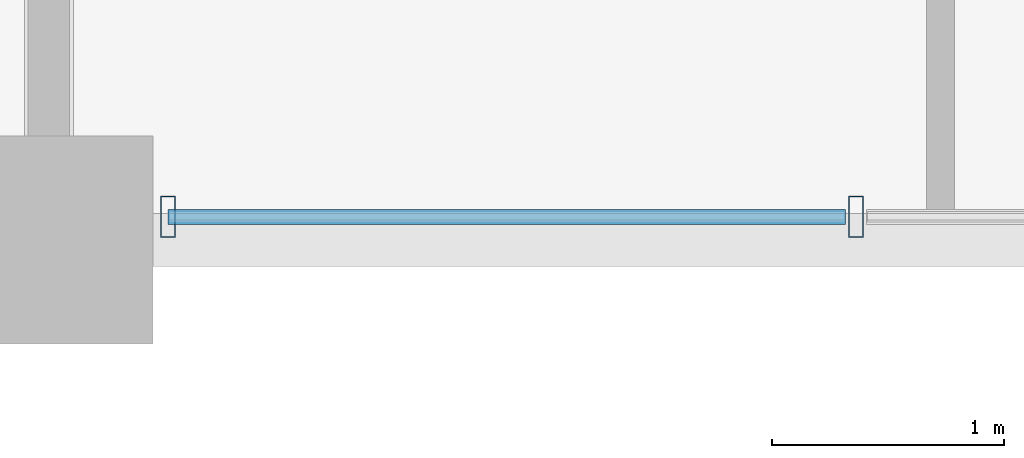
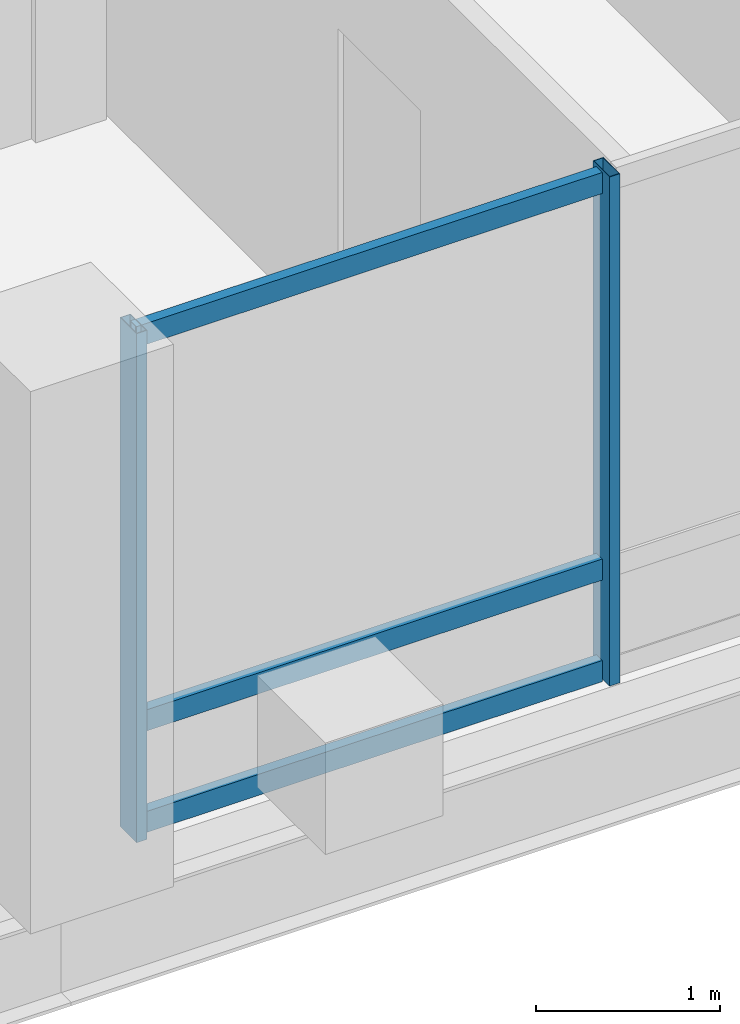
# One storey, part 2 of 21: 5 members, 1 element without a shape of its own.
"""IFC4 building model written with IfcOpenShell, lengths in metres."""

from ifc_helpers import new_model, si_unit, direction, frame, origin, origin_2d, place, context, subcontext, project, spatial, hollow_rectangle, extrude, material, layer, layer_set, material_profile, profile_set, type_object, element, aggregate, save


model = new_model("IFC4")

# Units and contexts
model_context = context("Model", 3, precision=1e-05, world=origin(), true_north=direction((0.0, 1.0)))
body_context = subcontext(model_context, "Body", "Model", "MODEL_VIEW")
ifc_project = project(units=[si_unit("LENGTHUNIT", "METRE"), si_unit("AREAUNIT", "SQUARE_METRE"), si_unit("VOLUMEUNIT", "CUBIC_METRE"), si_unit("PLANEANGLEUNIT", "RADIAN"), si_unit("MASSUNIT", "GRAM", prefix="KILO")], contexts=[model_context])

# Site, building, storey
site_placement = place(None, origin())
site = spatial("IfcSite", under=ifc_project, at=site_placement, CompositionType="ELEMENT")
building_placement = place(site_placement, origin())
building = spatial("IfcBuilding", under=site, at=building_placement, Name="Barlavira Tower and Art Museum", CompositionType="ELEMENT")
storey_placement = place(building_placement, frame((0.0, 0.0, 233.10009765625)))
storey = spatial("IfcBuildingStorey", under=building, at=storey_placement, Name="L60", CompositionType="ELEMENT", Elevation=233.10009765625)

# Curtain wall, members
ifc_material_1 = material(Name="Low-iron coastal laminated glass", Category="glass")
ifc_layer = layer(ifc_material_1, 0.2099609375, Name="Low-iron coastal laminated glass")
ifc_layer_set = layer_set([ifc_layer], Name="Low-iron coastal laminated glass")
curtain_wall_type = type_object("IfcCurtainWallType", Name="Pale-Metal Unitised Curtain Wall Zone 4", PredefinedType="NOTDEFINED", material=ifc_layer_set)
curtain_wall_placement = place(storey_placement, origin())
curtain_wall = element("IfcCurtainWall", 1, at=curtain_wall_placement, inside=storey, type_object=curtain_wall_type, Name="L60 Curtain Wall CW4-L60-S-B2", PredefinedType="NOTDEFINED")
ifc_material_2 = material(Name="Pale anodised aluminium", Category="aluminium")
ifc_material_profile_1 = material_profile(ifc_material_2, hollow_rectangle(XDim=0.06494140625, YDim=0.179931640625, WallThickness=0.00390625, at=origin_2d()), Name="ALU-MULL 65x180x4")
ifc_profile_set_1 = profile_set([ifc_material_profile_1], Name="Pale anodised aluminium")
member_type_1 = type_object("IfcMemberType", Name="Curtain Wall Pale-Metal Mullion 65x180", PredefinedType="MULLION", material=ifc_profile_set_1)
member_1_placement = place(storey_placement, frame((-5.985107421875, -19.89990234375, 0.0), z_axis=(0.0, 0.0, 1.0), x_axis=(1.0, 0.0, 0.0)))
member_1 = element("IfcMember", 2, at=member_1_placement, type_object=member_type_1, Name="CW4-L60-S-B2 Mullion 0", PredefinedType="MULLION", context=body_context, shape_type="SweptSolid", body=[
    extrude(hollow_rectangle(XDim=0.06494140625, YDim=0.179931640625, WallThickness=0.00390625, at=origin_2d()), origin(), (0.0, 0.0, 1.0), 3.3798828125),
])
member_2_placement = place(storey_placement, frame((-3.014892578125, -19.89990234375, 0.0), z_axis=(0.0, 0.0, 1.0), x_axis=(1.0, 0.0, 0.0)))
member_2 = element("IfcMember", 3, at=member_2_placement, type_object=member_type_1, Name="CW4-L60-S-B2 Mullion 1", PredefinedType="MULLION", context=body_context, shape_type="SweptSolid", body=[
    extrude(hollow_rectangle(XDim=0.06494140625, YDim=0.179931640625, WallThickness=0.00390625, at=origin_2d()), origin(), (0.0, 0.0, 1.0), 3.3798828125),
])
ifc_material_profile_2 = material_profile(ifc_material_2, hollow_rectangle(XDim=0.06494140625, YDim=0.139892578125, WallThickness=0.00390625, at=origin_2d()), Name="ALU-TRAN 65x140x4")
ifc_profile_set_2 = profile_set([ifc_material_profile_2], Name="Pale anodised aluminium")
member_type_2 = type_object("IfcMemberType", Name="Curtain Wall Pale-Metal Transom 65x140", PredefinedType="USERDEFINED", material=ifc_profile_set_2)
member_3_placement = place(storey_placement, frame((-5.985107421875, -19.89990234375, 0.06982421875), z_axis=(1.0, 0.0, 0.0), x_axis=(0.0, 1.0, 0.0)))
member_3 = element("IfcMember", 4, at=member_3_placement, type_object=member_type_2, Name="CW4-L60-S-B2 Transom 0.1", ObjectType="TRANSOM", PredefinedType="USERDEFINED", context=body_context, shape_type="SweptSolid", body=[
    extrude(hollow_rectangle(XDim=0.06494140625, YDim=0.139892578125, WallThickness=0.00390625, at=origin_2d()), origin(), (0.0, 0.0, 1.0), 2.925048828125),
])
member_4_placement = place(storey_placement, frame((-5.985107421875, -19.89990234375, 0.743896484375), z_axis=(1.0, 0.0, 0.0), x_axis=(0.0, 1.0, 0.0)))
member_4 = element("IfcMember", 5, at=member_4_placement, type_object=member_type_2, Name="CW4-L60-S-B2 Transom 0.2", ObjectType="TRANSOM", PredefinedType="USERDEFINED", context=body_context, shape_type="SweptSolid", body=[
    extrude(hollow_rectangle(XDim=0.06494140625, YDim=0.139892578125, WallThickness=0.00390625, at=origin_2d()), origin(), (0.0, 0.0, 1.0), 2.925048828125),
])
member_5_placement = place(storey_placement, frame((-5.985107421875, -19.89990234375, 3.309814453125), z_axis=(1.0, 0.0, 0.0), x_axis=(0.0, 1.0, 0.0)))
member_5 = element("IfcMember", 6, at=member_5_placement, type_object=member_type_2, Name="CW4-L60-S-B2 Transom 0.3", ObjectType="TRANSOM", PredefinedType="USERDEFINED", context=body_context, shape_type="SweptSolid", body=[
    extrude(hollow_rectangle(XDim=0.06494140625, YDim=0.139892578125, WallThickness=0.00390625, at=origin_2d()), origin(), (0.0, 0.0, 1.0), 2.925048828125),
])
aggregate(curtain_wall, [member_1, member_2, member_3, member_4, member_5])

save(model, "model.ifc")
